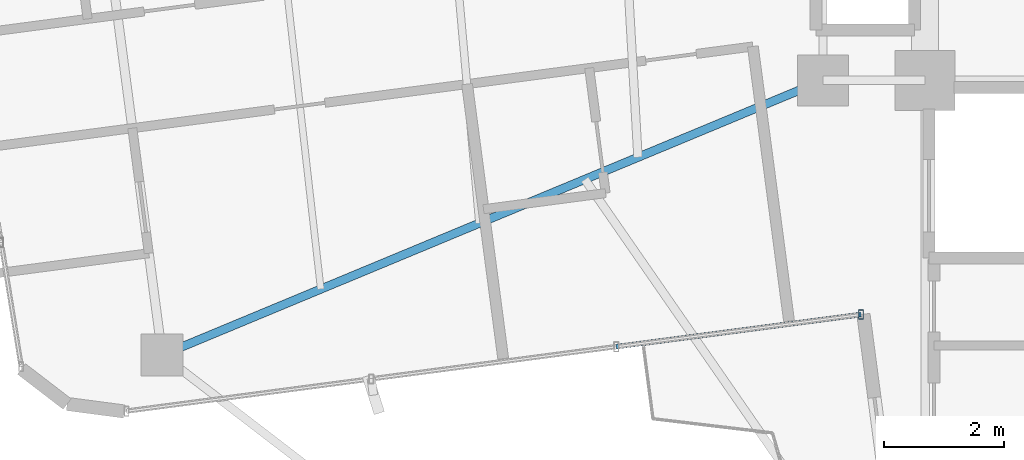
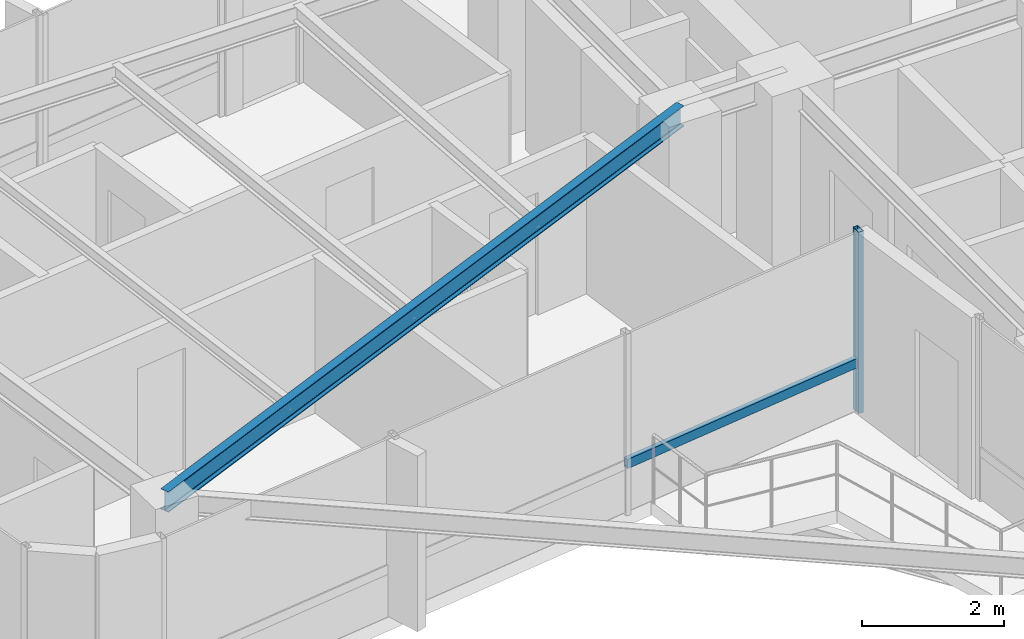
# One storey, part 3 of 23: 2 members, 1 beam, 1 element without a shape of its own.
"""IFC4 building model written with IfcOpenShell, lengths in metres."""

from ifc_helpers import new_model, si_unit, direction, frame, origin, origin_2d, place, context, subcontext, project, spatial, hollow_rectangle, i_section, extrude, source, transform, mapped, material, material_profile, profile_set, type_object, element, aggregate, save


model = new_model("IFC4")

# Units and contexts
model_context = context("Model", 3, precision=1e-05, world=origin(), true_north=direction((0.0, 1.0)))
body_context = subcontext(model_context, "Body", "Model", "MODEL_VIEW")
ifc_project = project(units=[si_unit("LENGTHUNIT", "METRE"), si_unit("AREAUNIT", "SQUARE_METRE"), si_unit("VOLUMEUNIT", "CUBIC_METRE"), si_unit("PLANEANGLEUNIT", "RADIAN"), si_unit("MASSUNIT", "GRAM", prefix="KILO")], contexts=[model_context])

# Site, building, storey
site_placement = place(None, origin())
site = spatial("IfcSite", under=ifc_project, at=site_placement, CompositionType="ELEMENT")
building_placement = place(site_placement, origin())
building = spatial("IfcBuilding", under=site, at=building_placement, Name="Sahyath Konkavel Grand Hotel", CompositionType="ELEMENT")
storey_placement = place(building_placement, frame((0.0, 0.0, 251.199951171875)))
storey = spatial("IfcBuildingStorey", under=building, at=storey_placement, Name="L70", CompositionType="ELEMENT", Elevation=251.199951171875)

# Beam
ifc_material_1 = material(Name="Steel E350", Category="steel")
ifc_material_profile_1 = material_profile(ifc_material_1, i_section(OverallWidth=0.139892578125, OverallDepth=0.35009765625, WebThickness=0.008056640625, FlangeThickness=0.01416015625, FilletRadius=0.013916015625, at=origin_2d()), Name="ISMB 350")
ifc_profile_set_1 = profile_set([ifc_material_profile_1], Name="Steel E350")
beam_type = type_object("IfcBeamType", Name="BM-ISMB350", PredefinedType="BEAM", material=ifc_profile_set_1)
shared_shape_1 = source(origin(), body_context, "Body", "SweptSolid", [
    extrude(i_section(OverallWidth=0.139892578125, OverallDepth=0.35009765625, WebThickness=0.008056640625, FlangeThickness=0.01416015625, FilletRadius=0.013916015625, at=origin_2d()), origin(), (0.0, 0.0, 1.0), 11.910400390625),
])
beam_placement = place(storey_placement, frame((-5.5, -2.39990234375, 2.93505859375), z_axis=(-0.923414359543, -0.383804534353, 0.0), x_axis=(0.383804534353, -0.923414359543, 0.0)))
element("IfcBeam", 1, at=beam_placement, inside=storey, type_object=beam_type, Name="L70 Cruciform Radial Girder WB", PredefinedType="BEAM", context=body_context, shape_type="MappedRepresentation", body=[
    mapped(shared_shape_1, transform((0.0, 0.0, 0.0), scale=1.0)),
])

# Curtain wall, members
ifc_material_2 = material(Name="Anodised Bronze Aluminium & Low-E Glazing", Category="aluminium")
curtain_wall_type = type_object("IfcCurtainWallType", Name="CW-ZONE4", PredefinedType="NOTDEFINED", material=ifc_material_2)
curtain_wall_placement = place(storey_placement, origin())
curtain_wall = element("IfcCurtainWall", 2, at=curtain_wall_placement, inside=storey, type_object=curtain_wall_type, Name="L70 Unitised Curtain Wall F23", PredefinedType="NOTDEFINED")
ifc_material_3 = material(Name="Anodised Bronze Aluminium", Category="aluminium")
ifc_material_profile_2 = material_profile(ifc_material_3, hollow_rectangle(XDim=0.080078125, YDim=0.159912109375, WallThickness=0.006103515625, at=origin_2d()), Name="RHS 160x80x6")
ifc_profile_set_2 = profile_set([ifc_material_profile_2], Name="Anodised Bronze Aluminium")
member_type_1 = type_object("IfcMemberType", Name="CW-MUL-160", PredefinedType="MULLION", material=ifc_profile_set_2)
shared_shape_2 = source(origin(), body_context, "Body", "SweptSolid", [
    extrude(hollow_rectangle(XDim=0.080078125, YDim=0.159912109375, WallThickness=0.006103515625, at=origin_2d()), origin(), (0.0, 0.0, 1.0), 3.110107421875),
])
member_1_placement = place(storey_placement, frame((-4.86767578125, -6.297119140625, 0.0), z_axis=(0.0, 0.0, 1.0), x_axis=(1.0, 0.0, 0.0)))
member_1 = element("IfcMember", 3, at=member_1_placement, type_object=member_type_1, Name="L70 Curtain Wall Mullion F23-3", PredefinedType="MULLION", context=body_context, shape_type="MappedRepresentation", body=[
    mapped(shared_shape_2, transform((0.0, 0.0, 0.0), scale=1.0)),
])
ifc_material_profile_3 = material_profile(ifc_material_3, hollow_rectangle(XDim=0.080078125, YDim=0.159912109375, WallThickness=0.006103515625, at=origin_2d()), Name="RHS 160x80x6")
ifc_profile_set_3 = profile_set([ifc_material_profile_3], Name="Anodised Bronze Aluminium")
member_type_2 = type_object("IfcMemberType", Name="CW-TRN-160", PredefinedType="USERDEFINED", material=ifc_profile_set_3)
shared_shape_3 = source(origin(), body_context, "Body", "SweptSolid", [
    extrude(hollow_rectangle(XDim=0.080078125, YDim=0.159912109375, WallThickness=0.006103515625, at=origin_2d()), origin(), (0.0, 0.0, 1.0), 4.109619140625),
])
member_2_placement = place(storey_placement, frame((-8.942138671875, -6.83349609375, 0.85009765625), z_axis=(0.99144600323, 0.130517518671, 0.0), x_axis=(-0.130517518671, 0.99144600323, 0.0)))
member_2 = element("IfcMember", 4, at=member_2_placement, type_object=member_type_2, Name="L70 Curtain Wall Transom F23-2-spandrel", ObjectType="TRANSOM", PredefinedType="USERDEFINED", context=body_context, shape_type="MappedRepresentation", body=[
    mapped(shared_shape_3, transform((0.0, 0.0, 0.0), scale=1.0)),
])
aggregate(curtain_wall, [member_1, member_2])

save(model, "model.ifc")
